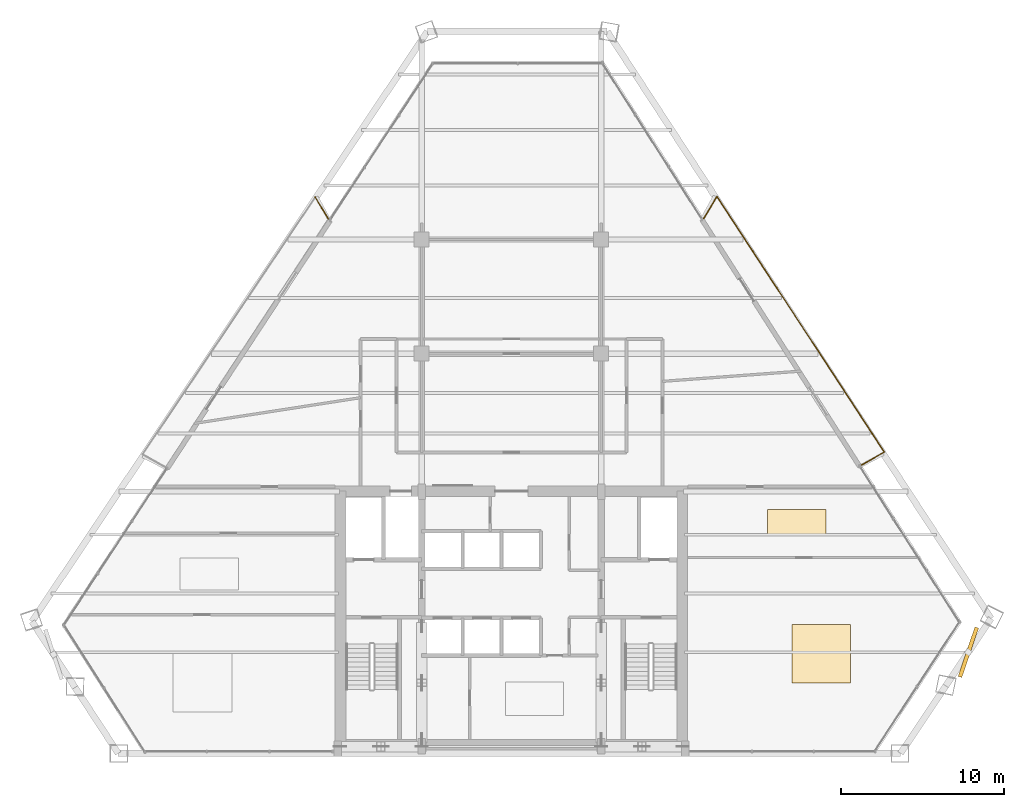
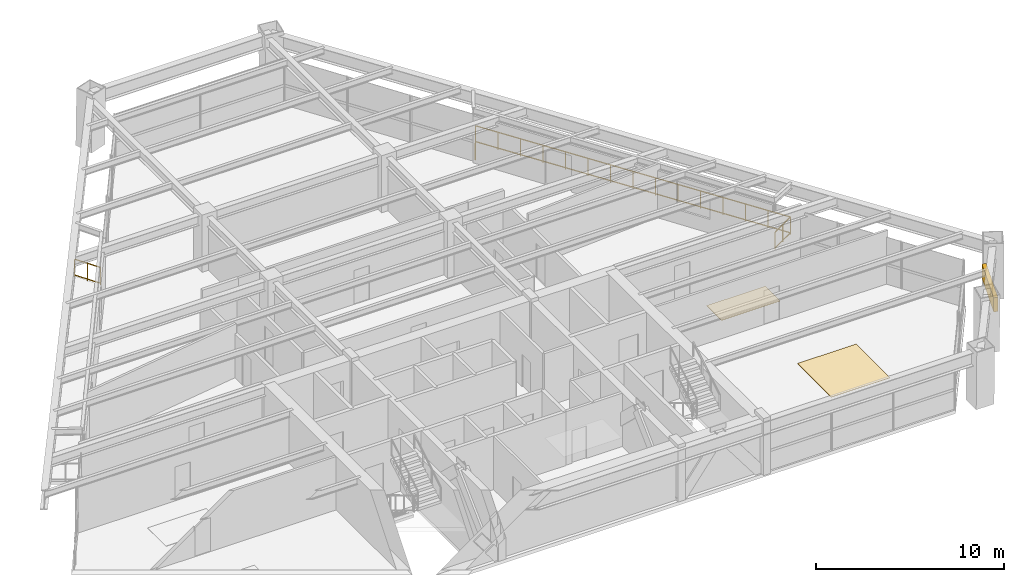
# One storey, part 14 of 14: 4 railings, 2 coverings, 1 shading device.
"""IFC4 building model written with IfcOpenShell, lengths in metres."""

from ifc_helpers import new_model, si_unit, direction, frame, origin, origin_2d, place, context, subcontext, project, spatial, rectangle, extrude, source, transform, mapped, material, layer, layer_set, type_object, type_shapes, element, save


model = new_model("IFC4")

# Units and contexts
model_context = context("Model", 3, precision=1e-05, world=origin(), true_north=direction((0.0, 1.0)))
body_context = subcontext(model_context, "Body", "Model", "MODEL_VIEW")
ifc_project = project(units=[si_unit("LENGTHUNIT", "METRE"), si_unit("AREAUNIT", "SQUARE_METRE"), si_unit("VOLUMEUNIT", "CUBIC_METRE"), si_unit("PLANEANGLEUNIT", "RADIAN"), si_unit("MASSUNIT", "GRAM", prefix="KILO")], contexts=[model_context])

# Site, building, storey
site_placement = place(None, origin())
site = spatial("IfcSite", under=ifc_project, at=site_placement, CompositionType="ELEMENT")
building_placement = place(site_placement, origin())
building = spatial("IfcBuilding", under=site, at=building_placement, Name="Varnakhor Terracotta Tower", CompositionType="ELEMENT")
storey_placement = place(building_placement, frame((0.0, 0.0, 129.300048828125)))
storey = spatial("IfcBuildingStorey", under=building, at=storey_placement, Name="L32", CompositionType="ELEMENT", Elevation=129.300048828125)

# Railings
ifc_material_1 = material(Name="Stainless Steel & Laminated Glass Guardrail", Category="steel")
railing_type = type_object("IfcRailingType", Name="RLG-LOGGIA-GUARD-1150", PredefinedType="GUARDRAIL", material=ifc_material_1)
railing_1_placement = place(storey_placement, frame((11.791259765625, 32.7919921875, 0.0)))
element("IfcRailing", 1, at=railing_1_placement, inside=storey, type_object=railing_type, Name="L32 E Loggia Glass Guard 1", PredefinedType="GUARDRAIL", context=body_context, shape_type="SweptSolid", body=[
    extrude(rectangle(XDim=0.048095703125, YDim=0.048095703125, at=origin_2d()), frame((0.0, 0.0, 1.1259765625), z_axis=(0.512243956988, 0.858839990062, 0.0), x_axis=(-0.858839990062, 0.512243956988, 0.0)), (0.0, 0.0, 1.0), 1.563720703125),
    extrude(rectangle(XDim=0.048095703125, YDim=0.048095703125, at=origin_2d()), frame((0.0, 0.0, 0.10009765625), z_axis=(0.512243956988, 0.858839990062, 0.0), x_axis=(-0.858839990062, 0.512243956988, 0.0)), (0.0, 0.0, 1.0), 1.563720703125),
    extrude(rectangle(XDim=0.0419921875, YDim=0.0419921875, at=origin_2d()), origin(), (0.0, 0.0, 1.0), 1.101806640625),
    extrude(rectangle(XDim=0.0419921875, YDim=0.0419921875, at=origin_2d()), frame((0.400390625, 0.67138671875, 0.0)), (0.0, 0.0, 1.0), 1.101806640625),
    extrude(rectangle(XDim=0.0419921875, YDim=0.0419921875, at=origin_2d()), frame((0.801025390625, 1.343017578125, 0.0)), (0.0, 0.0, 1.0), 1.101806640625),
])
railing_2_placement = place(storey_placement, frame((12.59228515625, 34.135009765625, 0.0)))
element("IfcRailing", 2, at=railing_2_placement, inside=storey, type_object=railing_type, Name="L32 E Loggia Glass Guard 2", PredefinedType="GUARDRAIL", context=body_context, shape_type="SweptSolid", body=[
    extrude(rectangle(XDim=0.048095703125, YDim=0.048095703125, at=origin_2d()), frame((0.0, 0.0, 1.1259765625), z_axis=(0.54755743066, -0.836768104154, 0.0), x_axis=(0.836768104154, 0.54755743066, 0.0)), (0.0, 0.0, 1.0), 18.723388671875),
    extrude(rectangle(XDim=0.048095703125, YDim=0.048095703125, at=origin_2d()), frame((0.0, 0.0, 0.10009765625), z_axis=(0.54755743066, -0.836768104154, 0.0), x_axis=(0.836768104154, 0.54755743066, 0.0)), (0.0, 0.0, 1.0), 18.723388671875),
    extrude(rectangle(XDim=0.0419921875, YDim=0.0419921875, at=origin_2d()), origin(), (0.0, 0.0, 1.0), 1.101806640625),
    extrude(rectangle(XDim=0.0419921875, YDim=0.0419921875, at=origin_2d()), frame((0.732421875, -1.119140625, 0.0)), (0.0, 0.0, 1.0), 1.101806640625),
    extrude(rectangle(XDim=0.0419921875, YDim=0.0419921875, at=origin_2d()), frame((1.464599609375, -2.23828125, 0.0)), (0.0, 0.0, 1.0), 1.101806640625),
    extrude(rectangle(XDim=0.0419921875, YDim=0.0419921875, at=origin_2d()), frame((2.19677734375, -3.357177734375, 0.0)), (0.0, 0.0, 1.0), 1.101806640625),
    extrude(rectangle(XDim=0.0419921875, YDim=0.0419921875, at=origin_2d()), frame((2.92919921875, -4.476318359375, 0.0)), (0.0, 0.0, 1.0), 1.101806640625),
    extrude(rectangle(XDim=0.0419921875, YDim=0.0419921875, at=origin_2d()), frame((3.66162109375, -5.595458984375, 0.0)), (0.0, 0.0, 1.0), 1.101806640625),
    extrude(rectangle(XDim=0.0419921875, YDim=0.0419921875, at=origin_2d()), frame((4.393798828125, -6.714599609375, 0.0)), (0.0, 0.0, 1.0), 1.101806640625),
    extrude(rectangle(XDim=0.0419921875, YDim=0.0419921875, at=origin_2d()), frame((5.1259765625, -7.83349609375, 0.0)), (0.0, 0.0, 1.0), 1.101806640625),
    extrude(rectangle(XDim=0.0419921875, YDim=0.0419921875, at=origin_2d()), frame((5.8583984375, -8.95263671875, 0.0)), (0.0, 0.0, 1.0), 1.101806640625),
    extrude(rectangle(XDim=0.0419921875, YDim=0.0419921875, at=origin_2d()), frame((6.5908203125, -10.07177734375, 0.0)), (0.0, 0.0, 1.0), 1.101806640625),
    extrude(rectangle(XDim=0.0419921875, YDim=0.0419921875, at=origin_2d()), frame((7.322998046875, -11.19091796875, 0.0)), (0.0, 0.0, 1.0), 1.101806640625),
    extrude(rectangle(XDim=0.0419921875, YDim=0.0419921875, at=origin_2d()), frame((8.05517578125, -12.31005859375, 0.0)), (0.0, 0.0, 1.0), 1.101806640625),
    extrude(rectangle(XDim=0.0419921875, YDim=0.0419921875, at=origin_2d()), frame((8.78759765625, -13.428955078125, 0.0)), (0.0, 0.0, 1.0), 1.101806640625),
    extrude(rectangle(XDim=0.0419921875, YDim=0.0419921875, at=origin_2d()), frame((9.52001953125, -14.548095703125, 0.0)), (0.0, 0.0, 1.0), 1.101806640625),
    extrude(rectangle(XDim=0.0419921875, YDim=0.0419921875, at=origin_2d()), frame((10.252197265625, -15.667236328125, 0.0)), (0.0, 0.0, 1.0), 1.101806640625),
])
railing_3_placement = place(storey_placement, frame((22.844482421875, 18.4677734375, 0.0)))
element("IfcRailing", 3, at=railing_3_placement, inside=storey, type_object=railing_type, Name="L32 E Loggia Glass Guard 3", PredefinedType="GUARDRAIL", context=body_context, shape_type="SweptSolid", body=[
    extrude(rectangle(XDim=0.048095703125, YDim=0.048095703125, at=origin_2d()), frame((0.0, 0.0, 1.1259765625), z_axis=(-0.867540919722, -0.497365813671, 0.0), x_axis=(0.497365813671, -0.867540919722, 0.0)), (0.0, 0.0, 1.0), 1.606689453125),
    extrude(rectangle(XDim=0.048095703125, YDim=0.048095703125, at=origin_2d()), frame((0.0, 0.0, 0.10009765625), z_axis=(-0.867540919722, -0.497365813671, 0.0), x_axis=(0.497365813671, -0.867540919722, 0.0)), (0.0, 0.0, 1.0), 1.606689453125),
    extrude(rectangle(XDim=0.0419921875, YDim=0.0419921875, at=origin_2d()), origin(), (0.0, 0.0, 1.0), 1.101806640625),
    extrude(rectangle(XDim=0.0419921875, YDim=0.0419921875, at=origin_2d()), frame((-0.69677734375, -0.3994140625, 0.0)), (0.0, 0.0, 1.0), 1.101806640625),
    extrude(rectangle(XDim=0.0419921875, YDim=0.0419921875, at=origin_2d()), frame((-1.393798828125, -0.799072265625, 0.0)), (0.0, 0.0, 1.0), 1.101806640625),
])
railing_4_placement = place(storey_placement, frame((-12.022705078125, 34.083740234375, 0.0)))
element("IfcRailing", 4, at=railing_4_placement, inside=storey, type_object=railing_type, Name="L32 W Loggia Glass Guard 3", PredefinedType="GUARDRAIL", context=body_context, shape_type="SweptSolid", body=[
    extrude(rectangle(XDim=0.048095703125, YDim=0.048095703125, at=origin_2d()), frame((0.0, 0.0, 1.1259765625), z_axis=(0.513990529299, -0.857795859043, 0.0), x_axis=(0.857795859043, 0.513990529299, 0.0)), (0.0, 0.0, 1.0), 1.563720703125),
    extrude(rectangle(XDim=0.048095703125, YDim=0.048095703125, at=origin_2d()), frame((0.0, 0.0, 0.10009765625), z_axis=(0.513990529299, -0.857795859043, 0.0), x_axis=(0.857795859043, 0.513990529299, 0.0)), (0.0, 0.0, 1.0), 1.563720703125),
    extrude(rectangle(XDim=0.0419921875, YDim=0.0419921875, at=origin_2d()), origin(), (0.0, 0.0, 1.0), 1.101806640625),
    extrude(rectangle(XDim=0.0419921875, YDim=0.0419921875, at=origin_2d()), frame((0.40185546875, -0.670654296875, 0.0)), (0.0, 0.0, 1.0), 1.101806640625),
    extrude(rectangle(XDim=0.0419921875, YDim=0.0419921875, at=origin_2d()), frame((0.8037109375, -1.34130859375, 0.0)), (0.0, 0.0, 1.0), 1.101806640625),
])

# Shading device
ifc_material_2 = material(Name="Extruded Architectural Terracotta Screen", Category="masonry")
shading_device_type = type_object("IfcShadingDeviceType", Name="TERRACOTTA SOLAR SCREEN E", PredefinedType="USERDEFINED", material=ifc_material_2)
shared_shape_1 = source(origin(), body_context, "Body", "SweptSolid", [
    extrude(rectangle(XDim=3.199951171875, YDim=0.239990234375, at=origin_2d()), origin(), (0.0, 0.0, 1.0), 0.919921875),
])
type_shapes(shading_device_type, [shared_shape_1])
shading_device_placement = place(storey_placement, frame((28.00341796875, 6.20458984375, 1.7099609375), z_axis=(0.0, 0.0, 1.0), x_axis=(0.322711757386, 0.946497290881, 0.0)))
element("IfcShadingDevice", 5, at=shading_device_placement, inside=storey, type_object=shading_device_type, Name="L32 E Terracotta Solar Screen", ObjectType="SCREEN", PredefinedType="USERDEFINED", context=body_context, shape_type="MappedRepresentation", body=[
    mapped(shared_shape_1, transform((0.0, 0.0, 0.0), scale=1.0)),
])

# Coverings
ifc_material_3 = material(Name="Honed Riyadh Limestone Flooring", Category="masonry")
ifc_layer = layer(ifc_material_3, 0.030029296875, Name="Honed Riyadh Limestone Flooring")
ifc_layer_set = layer_set([ifc_layer], Name="Honed Riyadh Limestone Flooring")
covering_type = type_object("IfcCoveringType", Name="COV-FLOOR-LIMESTONE", PredefinedType="FLOORING", material=ifc_layer_set)
shared_shape_2 = source(origin(), body_context, "Body", "SweptSolid", [
    extrude(rectangle(XDim=3.60009765625, YDim=3.60009765625, at=origin_2d()), origin(), (0.0, 0.0, 1.0), 0.02001953125),
])
covering_1_placement = place(storey_placement, frame((18.97998046875, 6.10205078125, 0.0), z_axis=(0.0, 0.0, 1.0), x_axis=(1.0, 0.0, 0.0)))
element("IfcCovering", 6, at=covering_1_placement, inside=storey, type_object=covering_type, Name="L32 Honed Stone Flooring 3", PredefinedType="FLOORING", context=body_context, shape_type="MappedRepresentation", body=[
    mapped(shared_shape_2, transform((0.0, 0.0, 0.0), scale=1.0)),
])
shared_shape_3 = source(origin(), body_context, "Body", "SweptSolid", [
    extrude(rectangle(XDim=3.60009765625, YDim=1.58203125, at=origin_2d()), origin(), (0.0, 0.0, 1.0), 0.02001953125),
])
covering_2_placement = place(storey_placement, frame((17.487060546875, 14.1640625, 0.0), z_axis=(0.0, 0.0, 1.0), x_axis=(1.0, 0.0, 0.0)))
element("IfcCovering", 7, at=covering_2_placement, inside=storey, type_object=covering_type, Name="L32 Honed Stone Flooring 5", PredefinedType="FLOORING", context=body_context, shape_type="MappedRepresentation", body=[
    mapped(shared_shape_3, transform((0.0, 0.0, 0.0), scale=1.0)),
])

save(model, "model.ifc")
